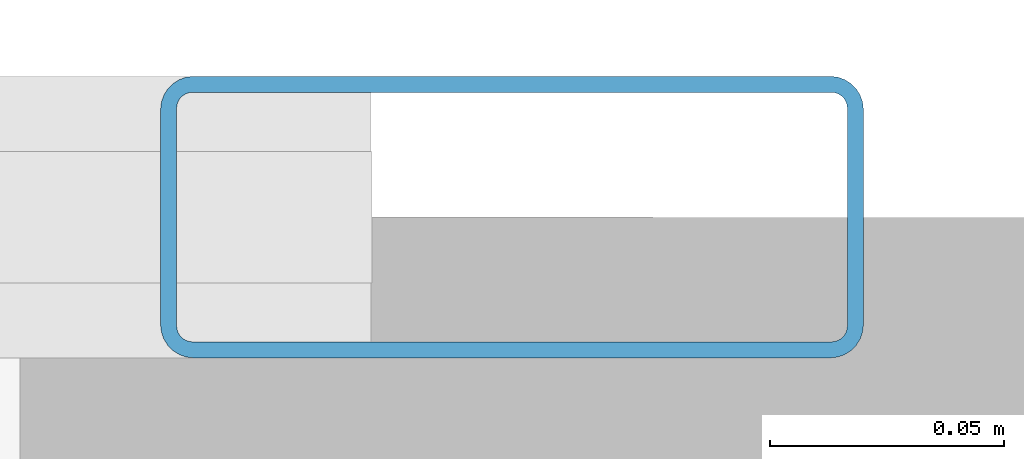
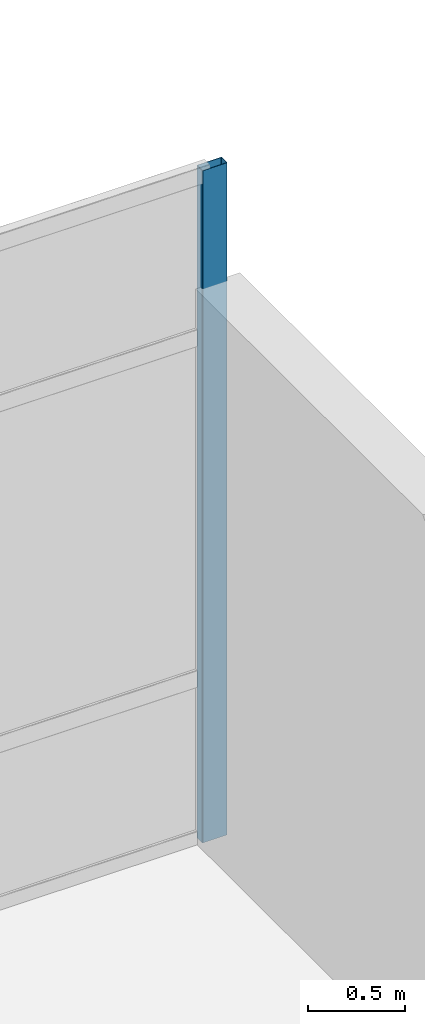
# One storey, part 20 of 42: 1 member, 1 element without a shape of its own.
"""IFC4 building model written with IfcOpenShell, lengths in metres."""

from ifc_helpers import new_model, si_unit, direction, frame, origin, origin_2d, place, context, subcontext, project, spatial, hollow_rectangle, extrude, material, material_profile, profile_set, type_object, element, aggregate, save


model = new_model("IFC4")

# Units and contexts
model_context = context("Model", 3, precision=1e-05, world=origin(), true_north=direction((0.0, 1.0)))
body_context = subcontext(model_context, "Body", "Model", "MODEL_VIEW")
ifc_project = project(units=[si_unit("LENGTHUNIT", "METRE"), si_unit("AREAUNIT", "SQUARE_METRE"), si_unit("VOLUMEUNIT", "CUBIC_METRE"), si_unit("PLANEANGLEUNIT", "RADIAN"), si_unit("MASSUNIT", "GRAM", prefix="KILO")], contexts=[model_context])

# Site, building, storey
site_placement = place(None, origin())
site = spatial("IfcSite", under=ifc_project, at=site_placement, CompositionType="ELEMENT")
building_placement = place(site_placement, origin())
building = spatial("IfcBuilding", under=site, at=building_placement, Name="Solmirada Galleria", CompositionType="ELEMENT")
storey_placement = place(building_placement, frame((0.0, 0.0, 28.39990234375)))
storey = spatial("IfcBuildingStorey", under=building, at=storey_placement, Name="L06", CompositionType="ELEMENT", Elevation=28.39990234375)

# Curtain wall, member
ifc_material_1 = material(Name="Impact-resistant low-E double glazing", Category="glass")
curtain_wall_type = type_object("IfcCurtainWallType", Name="CW-FZ5-L06-B4-L080", PredefinedType="NOTDEFINED", material=ifc_material_1)
curtain_wall_placement = place(storey_placement, origin())
curtain_wall = element("IfcCurtainWall", 1, at=curtain_wall_placement, inside=storey, type_object=curtain_wall_type, Name="Terrace and arcade storefront CW-L06-201", PredefinedType="NOTDEFINED")
ifc_material_2 = material(Name="Anodised aluminium framing", Category="aluminium")
ifc_material_profile = material_profile(ifc_material_2, hollow_rectangle(XDim=0.06005859375, YDim=0.14990234375, WallThickness=0.00341796875, InnerFilletRadius=0.00341796875, OuterFilletRadius=0.007080078125, at=origin_2d()), Name="ALU-MULL-150X60")
ifc_profile_set = profile_set([ifc_material_profile], Name="Anodised aluminium framing")
member_type = type_object("IfcMemberType", Name="CW-MULL-150", PredefinedType="MULLION", material=ifc_profile_set)
member_placement = place(storey_placement, frame((135.969970703125, 19.199951171875, 0.0), z_axis=(0.0, 0.0, 1.0), x_axis=(0.0, 1.0, 0.0)))
member = element("IfcMember", 2, at=member_placement, type_object=member_type, Name="CW39 mullion 5", PredefinedType="MULLION", context=body_context, shape_type="SweptSolid", body=[
    extrude(hollow_rectangle(XDim=0.06005859375, YDim=0.14990234375, WallThickness=0.00341796875, InnerFilletRadius=0.00341796875, OuterFilletRadius=0.007080078125, at=origin_2d()), origin(), (0.0, 0.0, 1.0), 4.22021484375),
])
aggregate(curtain_wall, [member])

save(model, "model.ifc")
